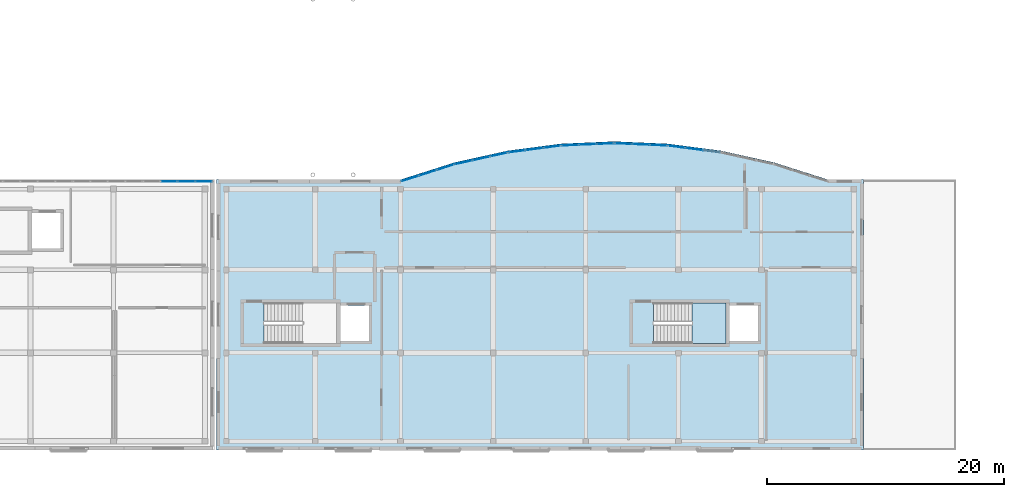
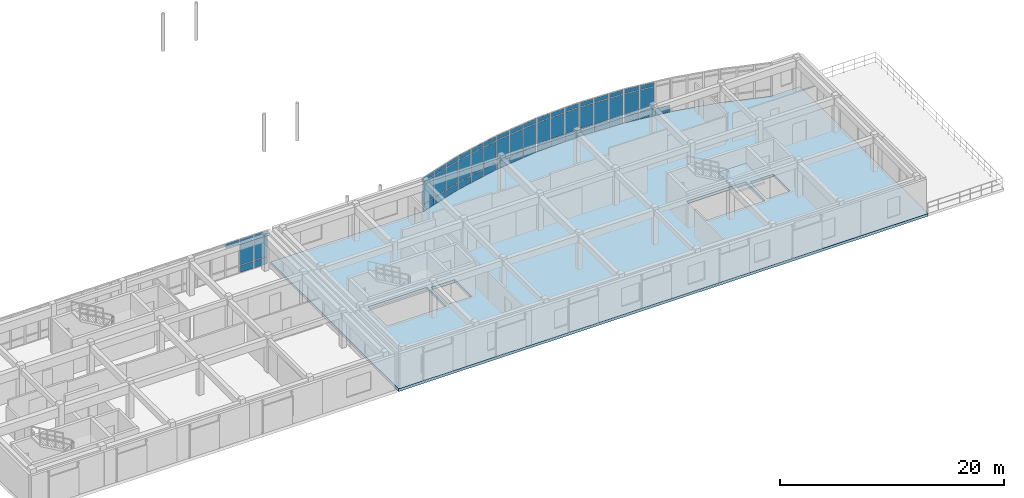
# One storey, part 64 of 91: 59 plates, 2 slabs, 8 elements without a shape of their own.
"""IFC4 building model written with IfcOpenShell, lengths in metres."""

from ifc_helpers import new_model, si_unit, direction, frame, origin, origin_2d, place, context, subcontext, project, spatial, polyline, rectangle, outline, extrude, material, layer, layer_set, type_object, element, aggregate, save


model = new_model("IFC4")

# Units and contexts
model_context = context("Model", 3, precision=1e-05, world=origin(), true_north=direction((0.0, 1.0)))
body_context = subcontext(model_context, "Body", "Model", "MODEL_VIEW")
ifc_project = project(units=[si_unit("LENGTHUNIT", "METRE"), si_unit("AREAUNIT", "SQUARE_METRE"), si_unit("VOLUMEUNIT", "CUBIC_METRE"), si_unit("PLANEANGLEUNIT", "RADIAN"), si_unit("MASSUNIT", "GRAM", prefix="KILO")], contexts=[model_context])

# Site, building, storey
site_placement = place(None, origin())
site = spatial("IfcSite", under=ifc_project, at=site_placement, CompositionType="ELEMENT")
building_placement = place(site_placement, origin())
building = spatial("IfcBuilding", under=site, at=building_placement, Name="Valcora Specialist Clinic", CompositionType="ELEMENT")
storey_placement = place(building_placement, frame((0.0, 0.0, 13.60009765625)))
storey = spatial("IfcBuildingStorey", under=building, at=storey_placement, Name="L03", CompositionType="ELEMENT", Elevation=13.60009765625)

# Curtain wall, plates
ifc_material_1 = material(Name="Anodized Bronze Aluminium 6063-T6", Category="aluminium")
ifc_layer_1 = layer(ifc_material_1, 0.175048828125)
ifc_layer_set_1 = layer_set([ifc_layer_1], Name="Anodized Bronze Aluminium 6063-T6")
curtain_wall_type_1 = type_object("IfcCurtainWallType", Name="TY-CW-ARC40", PredefinedType="NOTDEFINED", material=ifc_layer_set_1)
curtain_wall_1_placement = place(storey_placement, origin())
curtain_wall_1 = element("IfcCurtainWall", 1, at=curtain_wall_1_placement, inside=storey, type_object=curtain_wall_type_1, Name="Curtain wall CW-L03-210", PredefinedType="NOTDEFINED")
ifc_material_2 = material(Name="Low-E Laminated Insulating Glass", Category="glass")
ifc_layer_2 = layer(ifc_material_2, 0.028076171875)
ifc_layer_set_2 = layer_set([ifc_layer_2], Name="Low-E Laminated Insulating Glass")
plate_type_1 = type_object("IfcPlateType", Name="TY-CWP-GLZ28", PredefinedType="CURTAIN_PANEL", material=ifc_layer_set_2)
plate_1_placement = place(storey_placement, frame((69.79150390625, 22.89453125, 0.88232421875), z_axis=(0.0, 0.0, 1.0), x_axis=(0.952916356972, 0.303233270958, 0.0)))
plate_1 = element("IfcPlate", 2, at=plate_1_placement, type_object=plate_type_1, Name="CW-ARC-40 panel 1.2", PredefinedType="CURTAIN_PANEL", context=body_context, shape_type="SweptSolid", body=[
    extrude(rectangle(XDim=1.482177734375, YDim=0.028076171875, at=origin_2d()), origin(), (0.0, 0.0, 1.0), 2.31494140625),
])
plate_2_placement = place(storey_placement, frame((69.79150390625, 22.89453125, 3.2626953125), z_axis=(0.0, 0.0, 1.0), x_axis=(0.952916356972, 0.303233270958, 0.0)))
plate_2 = element("IfcPlate", 3, at=plate_2_placement, type_object=plate_type_1, Name="CW-ARC-40 panel 1.3", PredefinedType="CURTAIN_PANEL", context=body_context, shape_type="SweptSolid", body=[
    extrude(rectangle(XDim=1.482177734375, YDim=0.028076171875, at=origin_2d()), origin(), (0.0, 0.0, 1.0), 0.452392578125),
])
plate_3_placement = place(storey_placement, frame((71.28125, 23.368408203125, 0.88232421875), z_axis=(0.0, 0.0, 1.0), x_axis=(0.952916356972, 0.303233270958, 0.0)))
plate_3 = element("IfcPlate", 4, at=plate_3_placement, type_object=plate_type_1, Name="CW-ARC-40 panel 2.2", PredefinedType="CURTAIN_PANEL", context=body_context, shape_type="SweptSolid", body=[
    extrude(rectangle(XDim=1.5146484375, YDim=0.028076171875, at=origin_2d()), origin(), (0.0, 0.0, 1.0), 2.31494140625),
])
plate_4_placement = place(storey_placement, frame((71.28125, 23.368408203125, 3.2626953125), z_axis=(0.0, 0.0, 1.0), x_axis=(0.952916356972, 0.303233270958, 0.0)))
plate_4 = element("IfcPlate", 5, at=plate_4_placement, type_object=plate_type_1, Name="CW-ARC-40 panel 2.3", PredefinedType="CURTAIN_PANEL", context=body_context, shape_type="SweptSolid", body=[
    extrude(rectangle(XDim=1.5146484375, YDim=0.028076171875, at=origin_2d()), origin(), (0.0, 0.0, 1.0), 0.452392578125),
])
plate_5_placement = place(storey_placement, frame((72.77099609375, 23.842529296875, 0.88232421875), z_axis=(0.0, 0.0, 1.0), x_axis=(0.952916356972, 0.303233270958, 0.0)))
plate_5 = element("IfcPlate", 6, at=plate_5_placement, type_object=plate_type_1, Name="CW-ARC-40 panel 3.2", PredefinedType="CURTAIN_PANEL", context=body_context, shape_type="SweptSolid", body=[
    extrude(rectangle(XDim=1.482177734375, YDim=0.028076171875, at=origin_2d()), origin(), (0.0, 0.0, 1.0), 2.31494140625),
])
plate_6_placement = place(storey_placement, frame((72.77099609375, 23.842529296875, 3.2626953125), z_axis=(0.0, 0.0, 1.0), x_axis=(0.952916356972, 0.303233270958, 0.0)))
plate_6 = element("IfcPlate", 7, at=plate_6_placement, type_object=plate_type_1, Name="CW-ARC-40 panel 3.3", PredefinedType="CURTAIN_PANEL", context=body_context, shape_type="SweptSolid", body=[
    extrude(rectangle(XDim=1.482177734375, YDim=0.028076171875, at=origin_2d()), origin(), (0.0, 0.0, 1.0), 0.452392578125),
])

curtain_wall_2_placement = place(storey_placement, origin())
curtain_wall_2 = element("IfcCurtainWall", 8, at=curtain_wall_2_placement, inside=storey, type_object=curtain_wall_type_1, Name="Curtain wall CW-L03-212", PredefinedType="NOTDEFINED")
plate_7_placement = place(storey_placement, frame((78.7900390625, 25.182373046875, 0.88232421875), z_axis=(0.0, 0.0, 1.0), x_axis=(0.991514060421, 0.129999492259, 0.0)))
plate_7 = element("IfcPlate", 9, at=plate_7_placement, type_object=plate_type_1, Name="CW-ARC-40 panel 1.2", PredefinedType="CURTAIN_PANEL", context=body_context, shape_type="SweptSolid", body=[
    extrude(rectangle(XDim=1.410888671875, YDim=0.028076171875, at=origin_2d()), origin(), (0.0, 0.0, 1.0), 2.31494140625),
])
plate_8_placement = place(storey_placement, frame((78.7900390625, 25.182373046875, 3.2626953125), z_axis=(0.0, 0.0, 1.0), x_axis=(0.991514060421, 0.129999492259, 0.0)))
plate_8 = element("IfcPlate", 10, at=plate_8_placement, type_object=plate_type_1, Name="CW-ARC-40 panel 1.3", PredefinedType="CURTAIN_PANEL", context=body_context, shape_type="SweptSolid", body=[
    extrude(rectangle(XDim=1.410888671875, YDim=0.028076171875, at=origin_2d()), origin(), (0.0, 0.0, 1.0), 0.452392578125),
])
plate_9_placement = place(storey_placement, frame((80.26953125, 25.376220703125, 0.88232421875), z_axis=(0.0, 0.0, 1.0), x_axis=(0.991514060421, 0.129999492259, 0.0)))
plate_9 = element("IfcPlate", 11, at=plate_9_placement, type_object=plate_type_1, Name="CW-ARC-40 panel 2.2", PredefinedType="CURTAIN_PANEL", context=body_context, shape_type="SweptSolid", body=[
    extrude(rectangle(XDim=1.443359375, YDim=0.028076171875, at=origin_2d()), origin(), (0.0, 0.0, 1.0), 2.31494140625),
])
plate_10_placement = place(storey_placement, frame((80.26953125, 25.376220703125, 3.2626953125), z_axis=(0.0, 0.0, 1.0), x_axis=(0.991514060421, 0.129999492259, 0.0)))
plate_10 = element("IfcPlate", 12, at=plate_10_placement, type_object=plate_type_1, Name="CW-ARC-40 panel 2.3", PredefinedType="CURTAIN_PANEL", context=body_context, shape_type="SweptSolid", body=[
    extrude(rectangle(XDim=1.443359375, YDim=0.028076171875, at=origin_2d()), origin(), (0.0, 0.0, 1.0), 0.452392578125),
])
plate_11_placement = place(storey_placement, frame((81.7490234375, 25.5703125, 0.88232421875), z_axis=(0.0, 0.0, 1.0), x_axis=(0.991514060421, 0.129999492259, 0.0)))
plate_11 = element("IfcPlate", 13, at=plate_11_placement, type_object=plate_type_1, Name="CW-ARC-40 panel 3.2", PredefinedType="CURTAIN_PANEL", context=body_context, shape_type="SweptSolid", body=[
    extrude(rectangle(XDim=1.410888671875, YDim=0.028076171875, at=origin_2d()), origin(), (0.0, 0.0, 1.0), 2.31494140625),
])
plate_12_placement = place(storey_placement, frame((81.7490234375, 25.5703125, 3.2626953125), z_axis=(0.0, 0.0, 1.0), x_axis=(0.991514060421, 0.129999492259, 0.0)))
plate_12 = element("IfcPlate", 14, at=plate_12_placement, type_object=plate_type_1, Name="CW-ARC-40 panel 3.3", PredefinedType="CURTAIN_PANEL", context=body_context, shape_type="SweptSolid", body=[
    extrude(rectangle(XDim=1.410888671875, YDim=0.028076171875, at=origin_2d()), origin(), (0.0, 0.0, 1.0), 0.452392578125),
])

curtain_wall_3_placement = place(storey_placement, origin())
curtain_wall_3 = element("IfcCurtainWall", 15, at=curtain_wall_3_placement, inside=storey, type_object=curtain_wall_type_1, Name="Curtain wall CW-L03-214", PredefinedType="NOTDEFINED")
plate_13_placement = place(storey_placement, frame((87.76416015625, 25.831787109375, 0.88232421875), z_axis=(0.0, 0.0, 1.0), x_axis=(0.999061821291, -0.043306780525, 0.0)))
plate_13 = element("IfcPlate", 16, at=plate_13_placement, type_object=plate_type_1, Name="CW-ARC-40 panel 1.2", PredefinedType="CURTAIN_PANEL", context=body_context, shape_type="SweptSolid", body=[
    extrude(rectangle(XDim=1.399658203125, YDim=0.028076171875, at=origin_2d()), origin(), (0.0, 0.0, 1.0), 2.31494140625),
])
plate_14_placement = place(storey_placement, frame((87.76416015625, 25.831787109375, 3.2626953125), z_axis=(0.0, 0.0, 1.0), x_axis=(0.999061821291, -0.043306780525, 0.0)))
plate_14 = element("IfcPlate", 17, at=plate_14_placement, type_object=plate_type_1, Name="CW-ARC-40 panel 1.3", PredefinedType="CURTAIN_PANEL", context=body_context, shape_type="SweptSolid", body=[
    extrude(rectangle(XDim=1.399658203125, YDim=0.028076171875, at=origin_2d()), origin(), (0.0, 0.0, 1.0), 0.452392578125),
])
plate_15_placement = place(storey_placement, frame((89.243408203125, 25.767578125, 0.88232421875), z_axis=(0.0, 0.0, 1.0), x_axis=(0.999061821291, -0.043306780525, 0.0)))
plate_15 = element("IfcPlate", 18, at=plate_15_placement, type_object=plate_type_1, Name="CW-ARC-40 panel 2.2", PredefinedType="CURTAIN_PANEL", context=body_context, shape_type="SweptSolid", body=[
    extrude(rectangle(XDim=1.43212890625, YDim=0.028076171875, at=origin_2d()), origin(), (0.0, 0.0, 1.0), 2.31494140625),
])
plate_16_placement = place(storey_placement, frame((89.243408203125, 25.767578125, 3.2626953125), z_axis=(0.0, 0.0, 1.0), x_axis=(0.999061821291, -0.043306780525, 0.0)))
plate_16 = element("IfcPlate", 19, at=plate_16_placement, type_object=plate_type_1, Name="CW-ARC-40 panel 2.3", PredefinedType="CURTAIN_PANEL", context=body_context, shape_type="SweptSolid", body=[
    extrude(rectangle(XDim=1.43212890625, YDim=0.028076171875, at=origin_2d()), origin(), (0.0, 0.0, 1.0), 0.452392578125),
])
plate_17_placement = place(storey_placement, frame((90.722900390625, 25.70361328125, 0.88232421875), z_axis=(0.0, 0.0, 1.0), x_axis=(0.999061821291, -0.043306780525, 0.0)))
plate_17 = element("IfcPlate", 20, at=plate_17_placement, type_object=plate_type_1, Name="CW-ARC-40 panel 3.2", PredefinedType="CURTAIN_PANEL", context=body_context, shape_type="SweptSolid", body=[
    extrude(rectangle(XDim=1.399658203125, YDim=0.028076171875, at=origin_2d()), origin(), (0.0, 0.0, 1.0), 2.31494140625),
])
plate_18_placement = place(storey_placement, frame((90.722900390625, 25.70361328125, 3.2626953125), z_axis=(0.0, 0.0, 1.0), x_axis=(0.999061821291, -0.043306780525, 0.0)))
plate_18 = element("IfcPlate", 21, at=plate_18_placement, type_object=plate_type_1, Name="CW-ARC-40 panel 3.3", PredefinedType="CURTAIN_PANEL", context=body_context, shape_type="SweptSolid", body=[
    extrude(rectangle(XDim=1.399658203125, YDim=0.028076171875, at=origin_2d()), origin(), (0.0, 0.0, 1.0), 0.452392578125),
])

ifc_layer_3 = layer(ifc_material_1, 0.175048828125)
ifc_layer_set_3 = layer_set([ifc_layer_3], Name="Anodized Bronze Aluminium 6063-T6")
curtain_wall_type_2 = type_object("IfcCurtainWallType", Name="TY-CW-V5F15", PredefinedType="NOTDEFINED", material=ifc_layer_set_3)
curtain_wall_4_placement = place(storey_placement, origin())
curtain_wall_4 = element("IfcCurtainWall", 22, at=curtain_wall_4_placement, inside=storey, type_object=curtain_wall_type_2, Name="Curtain wall CW-L03-163", PredefinedType="NOTDEFINED")
ifc_layer_4 = layer(ifc_material_2, 0.033935546875)
ifc_layer_set_4 = layer_set([ifc_layer_4], Name="Low-E Laminated Insulating Glass")
plate_type_2 = type_object("IfcPlateType", Name="TY-CWP-GLZ34", PredefinedType="CURTAIN_PANEL", material=ifc_layer_set_4)
plate_19_placement = place(storey_placement, frame((49.469482421875, 22.64990234375, 3.20263671875), z_axis=(0.0, 0.0, 1.0), x_axis=(1.0, 0.0, 0.0)))
plate_19 = element("IfcPlate", 23, at=plate_19_placement, type_object=plate_type_2, Name="CW-V5F-15 panel 2.3", PredefinedType="CURTAIN_PANEL", context=body_context, shape_type="SweptSolid", body=[
    extrude(rectangle(XDim=1.4072265625, YDim=0.033935546875, at=origin_2d()), origin(), (0.0, 0.0, 1.0), 0.452392578125),
])
plate_20_placement = place(storey_placement, frame((50.941650390625, 22.64990234375, 0.882568359375), z_axis=(0.0, 0.0, 1.0), x_axis=(1.0, 0.0, 0.0)))
plate_20 = element("IfcPlate", 24, at=plate_20_placement, type_object=plate_type_2, Name="CW-V5F-15 panel 3.2", PredefinedType="CURTAIN_PANEL", context=body_context, shape_type="SweptSolid", body=[
    extrude(rectangle(XDim=1.4072265625, YDim=0.033935546875, at=origin_2d()), origin(), (0.0, 0.0, 1.0), 2.2548828125),
])
plate_21_placement = place(storey_placement, frame((50.941650390625, 22.64990234375, 3.20263671875), z_axis=(0.0, 0.0, 1.0), x_axis=(1.0, 0.0, 0.0)))
plate_21 = element("IfcPlate", 25, at=plate_21_placement, type_object=plate_type_2, Name="CW-V5F-15 panel 3.3", PredefinedType="CURTAIN_PANEL", context=body_context, shape_type="SweptSolid", body=[
    extrude(rectangle(XDim=1.4072265625, YDim=0.033935546875, at=origin_2d()), origin(), (0.0, 0.0, 1.0), 0.452392578125),
])
plate_22_placement = place(storey_placement, frame((52.397705078125, 22.64990234375, 0.882568359375), z_axis=(0.0, 0.0, 1.0), x_axis=(1.0, 0.0, 0.0)))
plate_22 = element("IfcPlate", 26, at=plate_22_placement, type_object=plate_type_2, Name="CW-V5F-15 panel 4.2", PredefinedType="CURTAIN_PANEL", context=body_context, shape_type="SweptSolid", body=[
    extrude(rectangle(XDim=1.374755859375, YDim=0.033935546875, at=origin_2d()), origin(), (0.0, 0.0, 1.0), 2.2548828125),
])
plate_23_placement = place(storey_placement, frame((52.397705078125, 22.64990234375, 3.20263671875), z_axis=(0.0, 0.0, 1.0), x_axis=(1.0, 0.0, 0.0)))
plate_23 = element("IfcPlate", 27, at=plate_23_placement, type_object=plate_type_2, Name="CW-V5F-15 panel 4.3", PredefinedType="CURTAIN_PANEL", context=body_context, shape_type="SweptSolid", body=[
    extrude(rectangle(XDim=1.374755859375, YDim=0.033935546875, at=origin_2d()), origin(), (0.0, 0.0, 1.0), 0.452392578125),
])

curtain_wall_5_placement = place(storey_placement, origin())
curtain_wall_5 = element("IfcCurtainWall", 28, at=curtain_wall_5_placement, inside=storey, type_object=curtain_wall_type_1, Name="Curtain wall CW-L03-211", PredefinedType="NOTDEFINED")
plate_24_placement = place(storey_placement, frame((74.302734375, 24.25634765625, 0.88232421875), z_axis=(0.0, 0.0, 1.0), x_axis=(0.976278614432, 0.216518052372, 0.0)))
plate_24 = element("IfcPlate", 29, at=plate_24_placement, type_object=plate_type_2, Name="CW-ARC-40 panel 1.2", PredefinedType="CURTAIN_PANEL", context=body_context, shape_type="SweptSolid", body=[
    extrude(rectangle(XDim=1.4345703125, YDim=0.033935546875, at=origin_2d()), origin(), (0.0, 0.0, 1.0), 2.31494140625),
])
plate_25_placement = place(storey_placement, frame((74.302734375, 24.25634765625, 3.2626953125), z_axis=(0.0, 0.0, 1.0), x_axis=(0.976278614432, 0.216518052372, 0.0)))
plate_25 = element("IfcPlate", 30, at=plate_25_placement, type_object=plate_type_2, Name="CW-ARC-40 panel 1.3", PredefinedType="CURTAIN_PANEL", context=body_context, shape_type="SweptSolid", body=[
    extrude(rectangle(XDim=1.4345703125, YDim=0.033935546875, at=origin_2d()), origin(), (0.0, 0.0, 1.0), 0.452392578125),
])
plate_26_placement = place(storey_placement, frame((75.782470703125, 24.58447265625, 0.88232421875), z_axis=(0.0, 0.0, 1.0), x_axis=(0.976278614432, 0.216518052372, 0.0)))
plate_26 = element("IfcPlate", 31, at=plate_26_placement, type_object=plate_type_2, Name="CW-ARC-40 panel 2.2", PredefinedType="CURTAIN_PANEL", context=body_context, shape_type="SweptSolid", body=[
    extrude(rectangle(XDim=1.467041015625, YDim=0.033935546875, at=origin_2d()), origin(), (0.0, 0.0, 1.0), 2.31494140625),
])
plate_27_placement = place(storey_placement, frame((75.782470703125, 24.58447265625, 3.2626953125), z_axis=(0.0, 0.0, 1.0), x_axis=(0.976278614432, 0.216518052372, 0.0)))
plate_27 = element("IfcPlate", 32, at=plate_27_placement, type_object=plate_type_2, Name="CW-ARC-40 panel 2.3", PredefinedType="CURTAIN_PANEL", context=body_context, shape_type="SweptSolid", body=[
    extrude(rectangle(XDim=1.467041015625, YDim=0.033935546875, at=origin_2d()), origin(), (0.0, 0.0, 1.0), 0.452392578125),
])
plate_28_placement = place(storey_placement, frame((77.26220703125, 24.912841796875, 0.88232421875), z_axis=(0.0, 0.0, 1.0), x_axis=(0.976278614432, 0.216518052372, 0.0)))
plate_28 = element("IfcPlate", 33, at=plate_28_placement, type_object=plate_type_2, Name="CW-ARC-40 panel 3.2", PredefinedType="CURTAIN_PANEL", context=body_context, shape_type="SweptSolid", body=[
    extrude(rectangle(XDim=1.4345703125, YDim=0.033935546875, at=origin_2d()), origin(), (0.0, 0.0, 1.0), 2.31494140625),
])
plate_29_placement = place(storey_placement, frame((77.26220703125, 24.912841796875, 3.2626953125), z_axis=(0.0, 0.0, 1.0), x_axis=(0.976278614432, 0.216518052372, 0.0)))
plate_29 = element("IfcPlate", 34, at=plate_29_placement, type_object=plate_type_2, Name="CW-ARC-40 panel 3.3", PredefinedType="CURTAIN_PANEL", context=body_context, shape_type="SweptSolid", body=[
    extrude(rectangle(XDim=1.4345703125, YDim=0.033935546875, at=origin_2d()), origin(), (0.0, 0.0, 1.0), 0.452392578125),
])

curtain_wall_6_placement = place(storey_placement, origin())
curtain_wall_6 = element("IfcCurtainWall", 35, at=curtain_wall_6_placement, inside=storey, type_object=curtain_wall_type_1, Name="Curtain wall CW-L03-213", PredefinedType="NOTDEFINED")
plate_30_placement = place(storey_placement, frame((83.277099609375, 25.70361328125, 0.88232421875), z_axis=(0.0, 0.0, 1.0), x_axis=(0.999061821291, 0.043306780525, 0.0)))
plate_30 = element("IfcPlate", 36, at=plate_30_placement, type_object=plate_type_2, Name="CW-ARC-40 panel 1.2", PredefinedType="CURTAIN_PANEL", context=body_context, shape_type="SweptSolid", body=[
    extrude(rectangle(XDim=1.399658203125, YDim=0.033935546875, at=origin_2d()), origin(), (0.0, 0.0, 1.0), 2.31494140625),
])
plate_31_placement = place(storey_placement, frame((83.277099609375, 25.70361328125, 3.2626953125), z_axis=(0.0, 0.0, 1.0), x_axis=(0.999061821291, 0.043306780525, 0.0)))
plate_31 = element("IfcPlate", 37, at=plate_31_placement, type_object=plate_type_2, Name="CW-ARC-40 panel 1.3", PredefinedType="CURTAIN_PANEL", context=body_context, shape_type="SweptSolid", body=[
    extrude(rectangle(XDim=1.399658203125, YDim=0.033935546875, at=origin_2d()), origin(), (0.0, 0.0, 1.0), 0.452392578125),
])
plate_32_placement = place(storey_placement, frame((84.756591796875, 25.767578125, 0.88232421875), z_axis=(0.0, 0.0, 1.0), x_axis=(0.999061821291, 0.043306780525, 0.0)))
plate_32 = element("IfcPlate", 38, at=plate_32_placement, type_object=plate_type_2, Name="CW-ARC-40 panel 2.2", PredefinedType="CURTAIN_PANEL", context=body_context, shape_type="SweptSolid", body=[
    extrude(rectangle(XDim=1.43212890625, YDim=0.033935546875, at=origin_2d()), origin(), (0.0, 0.0, 1.0), 2.31494140625),
])
plate_33_placement = place(storey_placement, frame((84.756591796875, 25.767578125, 3.2626953125), z_axis=(0.0, 0.0, 1.0), x_axis=(0.999061821291, 0.043306780525, 0.0)))
plate_33 = element("IfcPlate", 39, at=plate_33_placement, type_object=plate_type_2, Name="CW-ARC-40 panel 2.3", PredefinedType="CURTAIN_PANEL", context=body_context, shape_type="SweptSolid", body=[
    extrude(rectangle(XDim=1.43212890625, YDim=0.033935546875, at=origin_2d()), origin(), (0.0, 0.0, 1.0), 0.452392578125),
])
plate_34_placement = place(storey_placement, frame((86.23583984375, 25.831787109375, 0.88232421875), z_axis=(0.0, 0.0, 1.0), x_axis=(0.999061821291, 0.043306780525, 0.0)))
plate_34 = element("IfcPlate", 40, at=plate_34_placement, type_object=plate_type_2, Name="CW-ARC-40 panel 3.2", PredefinedType="CURTAIN_PANEL", context=body_context, shape_type="SweptSolid", body=[
    extrude(rectangle(XDim=1.399658203125, YDim=0.033935546875, at=origin_2d()), origin(), (0.0, 0.0, 1.0), 2.31494140625),
])
plate_35_placement = place(storey_placement, frame((86.23583984375, 25.831787109375, 3.2626953125), z_axis=(0.0, 0.0, 1.0), x_axis=(0.999061821291, 0.043306780525, 0.0)))
plate_35 = element("IfcPlate", 41, at=plate_35_placement, type_object=plate_type_2, Name="CW-ARC-40 panel 3.3", PredefinedType="CURTAIN_PANEL", context=body_context, shape_type="SweptSolid", body=[
    extrude(rectangle(XDim=1.399658203125, YDim=0.033935546875, at=origin_2d()), origin(), (0.0, 0.0, 1.0), 0.452392578125),
])

curtain_wall_7_placement = place(storey_placement, origin())
curtain_wall_7 = element("IfcCurtainWall", 42, at=curtain_wall_7_placement, inside=storey, type_object=curtain_wall_type_1, Name="Curtain wall CW-L03-215", PredefinedType="NOTDEFINED")
plate_36_placement = place(storey_placement, frame((92.2509765625, 25.5703125, 0.88232421875), z_axis=(0.0, 0.0, 1.0), x_axis=(0.991514060421, -0.129999492259, 0.0)))
plate_36 = element("IfcPlate", 43, at=plate_36_placement, type_object=plate_type_2, Name="CW-ARC-40 panel 1.2", PredefinedType="CURTAIN_PANEL", context=body_context, shape_type="SweptSolid", body=[
    extrude(rectangle(XDim=1.410888671875, YDim=0.033935546875, at=origin_2d()), origin(), (0.0, 0.0, 1.0), 2.31494140625),
])
plate_37_placement = place(storey_placement, frame((92.2509765625, 25.5703125, 3.2626953125), z_axis=(0.0, 0.0, 1.0), x_axis=(0.991514060421, -0.129999492259, 0.0)))
plate_37 = element("IfcPlate", 44, at=plate_37_placement, type_object=plate_type_2, Name="CW-ARC-40 panel 1.3", PredefinedType="CURTAIN_PANEL", context=body_context, shape_type="SweptSolid", body=[
    extrude(rectangle(XDim=1.410888671875, YDim=0.033935546875, at=origin_2d()), origin(), (0.0, 0.0, 1.0), 0.452392578125),
])
plate_38_placement = place(storey_placement, frame((93.73046875, 25.376220703125, 0.88232421875), z_axis=(0.0, 0.0, 1.0), x_axis=(0.991514060421, -0.129999492259, 0.0)))
plate_38 = element("IfcPlate", 45, at=plate_38_placement, type_object=plate_type_2, Name="CW-ARC-40 panel 2.2", PredefinedType="CURTAIN_PANEL", context=body_context, shape_type="SweptSolid", body=[
    extrude(rectangle(XDim=1.443359375, YDim=0.033935546875, at=origin_2d()), origin(), (0.0, 0.0, 1.0), 2.31494140625),
])
plate_39_placement = place(storey_placement, frame((93.73046875, 25.376220703125, 3.2626953125), z_axis=(0.0, 0.0, 1.0), x_axis=(0.991514060421, -0.129999492259, 0.0)))
plate_39 = element("IfcPlate", 46, at=plate_39_placement, type_object=plate_type_2, Name="CW-ARC-40 panel 2.3", PredefinedType="CURTAIN_PANEL", context=body_context, shape_type="SweptSolid", body=[
    extrude(rectangle(XDim=1.443359375, YDim=0.033935546875, at=origin_2d()), origin(), (0.0, 0.0, 1.0), 0.452392578125),
])

# Plate
ifc_material_3 = material(Name="Insulated Spandrel Panel")
ifc_layer_5 = layer(ifc_material_3, 0.044921875)
ifc_layer_set_5 = layer_set([ifc_layer_5], Name="Insulated Spandrel Panel")
plate_type_3 = type_object("IfcPlateType", Name="TY-CWP-SPN45", PredefinedType="SHEET", material=ifc_layer_set_5)
plate_40_placement = place(storey_placement, frame((50.941650390625, 22.64990234375, 0.06494140625), z_axis=(0.0, 0.0, 1.0), x_axis=(1.0, 0.0, 0.0)))
plate_40 = element("IfcPlate", 47, at=plate_40_placement, type_object=plate_type_3, Name="CW-V5F-15 panel 3.1", PredefinedType="SHEET", context=body_context, shape_type="SweptSolid", body=[
    extrude(rectangle(XDim=1.4072265625, YDim=0.044921875, at=origin_2d()), origin(), (0.0, 0.0, 1.0), 0.75244140625),
])

plate_41_placement = place(storey_placement, frame((52.397705078125, 22.64990234375, 0.06494140625), z_axis=(0.0, 0.0, 1.0), x_axis=(1.0, 0.0, 0.0)))
plate_41 = element("IfcPlate", 48, at=plate_41_placement, type_object=plate_type_3, Name="CW-V5F-15 panel 4.1", PredefinedType="SHEET", context=body_context, shape_type="SweptSolid", body=[
    extrude(rectangle(XDim=1.374755859375, YDim=0.044921875, at=origin_2d()), origin(), (0.0, 0.0, 1.0), 0.75244140625),
])

aggregate(curtain_wall_4, [plate_19, plate_40, plate_20, plate_21, plate_41, plate_22, plate_23])

plate_42_placement = place(storey_placement, frame((69.79150390625, 22.89453125, 0.06494140625), z_axis=(0.0, 0.0, 1.0), x_axis=(0.952916356972, 0.303233270958, 0.0)))
plate_42 = element("IfcPlate", 49, at=plate_42_placement, type_object=plate_type_3, Name="CW-ARC-40 panel 1.1", PredefinedType="SHEET", context=body_context, shape_type="SweptSolid", body=[
    extrude(rectangle(XDim=1.482177734375, YDim=0.044921875, at=origin_2d()), origin(), (0.0, 0.0, 1.0), 0.75244140625),
])

plate_43_placement = place(storey_placement, frame((71.28125, 23.368408203125, 0.06494140625), z_axis=(0.0, 0.0, 1.0), x_axis=(0.952916356972, 0.303233270958, 0.0)))
plate_43 = element("IfcPlate", 50, at=plate_43_placement, type_object=plate_type_3, Name="CW-ARC-40 panel 2.1", PredefinedType="SHEET", context=body_context, shape_type="SweptSolid", body=[
    extrude(rectangle(XDim=1.5146484375, YDim=0.044921875, at=origin_2d()), origin(), (0.0, 0.0, 1.0), 0.75244140625),
])

plate_44_placement = place(storey_placement, frame((72.77099609375, 23.842529296875, 0.06494140625), z_axis=(0.0, 0.0, 1.0), x_axis=(0.952916356972, 0.303233270958, 0.0)))
plate_44 = element("IfcPlate", 51, at=plate_44_placement, type_object=plate_type_3, Name="CW-ARC-40 panel 3.1", PredefinedType="SHEET", context=body_context, shape_type="SweptSolid", body=[
    extrude(rectangle(XDim=1.482177734375, YDim=0.044921875, at=origin_2d()), origin(), (0.0, 0.0, 1.0), 0.75244140625),
])

aggregate(curtain_wall_1, [plate_42, plate_1, plate_2, plate_43, plate_3, plate_4, plate_44, plate_5, plate_6])

plate_45_placement = place(storey_placement, frame((74.302734375, 24.25634765625, 0.06494140625), z_axis=(0.0, 0.0, 1.0), x_axis=(0.976278614432, 0.216518052372, 0.0)))
plate_45 = element("IfcPlate", 52, at=plate_45_placement, type_object=plate_type_3, Name="CW-ARC-40 panel 1.1", PredefinedType="SHEET", context=body_context, shape_type="SweptSolid", body=[
    extrude(rectangle(XDim=1.4345703125, YDim=0.044921875, at=origin_2d()), origin(), (0.0, 0.0, 1.0), 0.75244140625),
])

plate_46_placement = place(storey_placement, frame((75.782470703125, 24.58447265625, 0.06494140625), z_axis=(0.0, 0.0, 1.0), x_axis=(0.976278614432, 0.216518052372, 0.0)))
plate_46 = element("IfcPlate", 53, at=plate_46_placement, type_object=plate_type_3, Name="CW-ARC-40 panel 2.1", PredefinedType="SHEET", context=body_context, shape_type="SweptSolid", body=[
    extrude(rectangle(XDim=1.467041015625, YDim=0.044921875, at=origin_2d()), origin(), (0.0, 0.0, 1.0), 0.75244140625),
])

plate_47_placement = place(storey_placement, frame((77.26220703125, 24.912841796875, 0.06494140625), z_axis=(0.0, 0.0, 1.0), x_axis=(0.976278614432, 0.216518052372, 0.0)))
plate_47 = element("IfcPlate", 54, at=plate_47_placement, type_object=plate_type_3, Name="CW-ARC-40 panel 3.1", PredefinedType="SHEET", context=body_context, shape_type="SweptSolid", body=[
    extrude(rectangle(XDim=1.4345703125, YDim=0.044921875, at=origin_2d()), origin(), (0.0, 0.0, 1.0), 0.75244140625),
])

aggregate(curtain_wall_5, [plate_45, plate_24, plate_25, plate_46, plate_26, plate_27, plate_47, plate_28, plate_29])

plate_48_placement = place(storey_placement, frame((78.7900390625, 25.182373046875, 0.06494140625), z_axis=(0.0, 0.0, 1.0), x_axis=(0.991514060421, 0.129999492259, 0.0)))
plate_48 = element("IfcPlate", 55, at=plate_48_placement, type_object=plate_type_3, Name="CW-ARC-40 panel 1.1", PredefinedType="SHEET", context=body_context, shape_type="SweptSolid", body=[
    extrude(rectangle(XDim=1.410888671875, YDim=0.044921875, at=origin_2d()), origin(), (0.0, 0.0, 1.0), 0.75244140625),
])

plate_49_placement = place(storey_placement, frame((80.26953125, 25.376220703125, 0.06494140625), z_axis=(0.0, 0.0, 1.0), x_axis=(0.991514060421, 0.129999492259, 0.0)))
plate_49 = element("IfcPlate", 56, at=plate_49_placement, type_object=plate_type_3, Name="CW-ARC-40 panel 2.1", PredefinedType="SHEET", context=body_context, shape_type="SweptSolid", body=[
    extrude(rectangle(XDim=1.443359375, YDim=0.044921875, at=origin_2d()), origin(), (0.0, 0.0, 1.0), 0.75244140625),
])

plate_50_placement = place(storey_placement, frame((81.7490234375, 25.5703125, 0.06494140625), z_axis=(0.0, 0.0, 1.0), x_axis=(0.991514060421, 0.129999492259, 0.0)))
plate_50 = element("IfcPlate", 57, at=plate_50_placement, type_object=plate_type_3, Name="CW-ARC-40 panel 3.1", PredefinedType="SHEET", context=body_context, shape_type="SweptSolid", body=[
    extrude(rectangle(XDim=1.410888671875, YDim=0.044921875, at=origin_2d()), origin(), (0.0, 0.0, 1.0), 0.75244140625),
])

aggregate(curtain_wall_2, [plate_48, plate_7, plate_8, plate_49, plate_9, plate_10, plate_50, plate_11, plate_12])

plate_51_placement = place(storey_placement, frame((83.277099609375, 25.70361328125, 0.06494140625), z_axis=(0.0, 0.0, 1.0), x_axis=(0.999061821291, 0.043306780525, 0.0)))
plate_51 = element("IfcPlate", 58, at=plate_51_placement, type_object=plate_type_3, Name="CW-ARC-40 panel 1.1", PredefinedType="SHEET", context=body_context, shape_type="SweptSolid", body=[
    extrude(rectangle(XDim=1.399658203125, YDim=0.044921875, at=origin_2d()), origin(), (0.0, 0.0, 1.0), 0.75244140625),
])

plate_52_placement = place(storey_placement, frame((84.756591796875, 25.767578125, 0.06494140625), z_axis=(0.0, 0.0, 1.0), x_axis=(0.999061821291, 0.043306780525, 0.0)))
plate_52 = element("IfcPlate", 59, at=plate_52_placement, type_object=plate_type_3, Name="CW-ARC-40 panel 2.1", PredefinedType="SHEET", context=body_context, shape_type="SweptSolid", body=[
    extrude(rectangle(XDim=1.43212890625, YDim=0.044921875, at=origin_2d()), origin(), (0.0, 0.0, 1.0), 0.75244140625),
])

plate_53_placement = place(storey_placement, frame((86.23583984375, 25.831787109375, 0.06494140625), z_axis=(0.0, 0.0, 1.0), x_axis=(0.999061821291, 0.043306780525, 0.0)))
plate_53 = element("IfcPlate", 60, at=plate_53_placement, type_object=plate_type_3, Name="CW-ARC-40 panel 3.1", PredefinedType="SHEET", context=body_context, shape_type="SweptSolid", body=[
    extrude(rectangle(XDim=1.399658203125, YDim=0.044921875, at=origin_2d()), origin(), (0.0, 0.0, 1.0), 0.75244140625),
])

aggregate(curtain_wall_6, [plate_51, plate_30, plate_31, plate_52, plate_32, plate_33, plate_53, plate_34, plate_35])

plate_54_placement = place(storey_placement, frame((87.76416015625, 25.831787109375, 0.06494140625), z_axis=(0.0, 0.0, 1.0), x_axis=(0.999061821291, -0.043306780525, 0.0)))
plate_54 = element("IfcPlate", 61, at=plate_54_placement, type_object=plate_type_3, Name="CW-ARC-40 panel 1.1", PredefinedType="SHEET", context=body_context, shape_type="SweptSolid", body=[
    extrude(rectangle(XDim=1.399658203125, YDim=0.044921875, at=origin_2d()), origin(), (0.0, 0.0, 1.0), 0.75244140625),
])

plate_55_placement = place(storey_placement, frame((89.243408203125, 25.767578125, 0.06494140625), z_axis=(0.0, 0.0, 1.0), x_axis=(0.999061821291, -0.043306780525, 0.0)))
plate_55 = element("IfcPlate", 62, at=plate_55_placement, type_object=plate_type_3, Name="CW-ARC-40 panel 2.1", PredefinedType="SHEET", context=body_context, shape_type="SweptSolid", body=[
    extrude(rectangle(XDim=1.43212890625, YDim=0.044921875, at=origin_2d()), origin(), (0.0, 0.0, 1.0), 0.75244140625),
])

plate_56_placement = place(storey_placement, frame((90.722900390625, 25.70361328125, 0.06494140625), z_axis=(0.0, 0.0, 1.0), x_axis=(0.999061821291, -0.043306780525, 0.0)))
plate_56 = element("IfcPlate", 63, at=plate_56_placement, type_object=plate_type_3, Name="CW-ARC-40 panel 3.1", PredefinedType="SHEET", context=body_context, shape_type="SweptSolid", body=[
    extrude(rectangle(XDim=1.399658203125, YDim=0.044921875, at=origin_2d()), origin(), (0.0, 0.0, 1.0), 0.75244140625),
])

aggregate(curtain_wall_3, [plate_54, plate_13, plate_14, plate_55, plate_15, plate_16, plate_56, plate_17, plate_18])

plate_57_placement = place(storey_placement, frame((92.2509765625, 25.5703125, 0.06494140625), z_axis=(0.0, 0.0, 1.0), x_axis=(0.991514060421, -0.129999492259, 0.0)))
plate_57 = element("IfcPlate", 64, at=plate_57_placement, type_object=plate_type_3, Name="CW-ARC-40 panel 1.1", PredefinedType="SHEET", context=body_context, shape_type="SweptSolid", body=[
    extrude(rectangle(XDim=1.410888671875, YDim=0.044921875, at=origin_2d()), origin(), (0.0, 0.0, 1.0), 0.75244140625),
])

plate_58_placement = place(storey_placement, frame((93.73046875, 25.376220703125, 0.06494140625), z_axis=(0.0, 0.0, 1.0), x_axis=(0.991514060421, -0.129999492259, 0.0)))
plate_58 = element("IfcPlate", 65, at=plate_58_placement, type_object=plate_type_3, Name="CW-ARC-40 panel 2.1", PredefinedType="SHEET", context=body_context, shape_type="SweptSolid", body=[
    extrude(rectangle(XDim=1.443359375, YDim=0.044921875, at=origin_2d()), origin(), (0.0, 0.0, 1.0), 0.75244140625),
])

plate_59_placement = place(storey_placement, frame((95.2099609375, 25.182373046875, 0.06494140625), z_axis=(0.0, 0.0, 1.0), x_axis=(0.991514060421, -0.129999492259, 0.0)))
plate_59 = element("IfcPlate", 66, at=plate_59_placement, type_object=plate_type_3, Name="CW-ARC-40 panel 3.1", PredefinedType="SHEET", context=body_context, shape_type="SweptSolid", body=[
    extrude(rectangle(XDim=1.410888671875, YDim=0.044921875, at=origin_2d()), origin(), (0.0, 0.0, 1.0), 0.75244140625),
])

aggregate(curtain_wall_7, [plate_57, plate_36, plate_37, plate_58, plate_38, plate_39, plate_59])

# Slab
ifc_material_4 = material(Name="Concrete C40/50", Category="concrete")
ifc_layer_6 = layer(ifc_material_4, 0.300048828125)
ifc_layer_set_6 = layer_set([ifc_layer_6], Name="Concrete C40/50")
slab_type_1 = type_object("IfcSlabType", Name="TY-SL-FLR300", PredefinedType="FLOOR", material=ifc_layer_set_6)
slab_1_placement = place(storey_placement, frame((0.0, 0.0, -0.300048828125)))
element("IfcSlab", 67, at=slab_1_placement, inside=storey, type_object=slab_type_1, Name="V6 L03 structural slab SL-L03-024", PredefinedType="FLOOR", context=body_context, shape_type="SweptSolid", body=[
    extrude(outline(polyline([(53.5, 0.0), (108.0, 0.0), (108.0, 22.800048828125), (105.0, 22.800048828125), (100.5, 24.23193359375), (96.0, 25.22998046875), (91.5, 25.820068359375), (87.0, 26.014892578125), (82.5, 25.820068359375), (78.0, 25.22998046875), (73.5, 24.23193359375), (69.0, 22.800048828125), (53.5, 22.800048828125), (53.5, 0.0)]), holes=[polyline([(57.500732421875, 9.0), (63.60009765625, 9.0), (63.60009765625, 12.39990234375), (57.500732421875, 12.39990234375), (57.500732421875, 9.0)]), polyline([(63.919921875, 9.199951171875), (66.320068359375, 9.199951171875), (66.320068359375, 12.199951171875), (63.919921875, 12.199951171875), (63.919921875, 9.199951171875)]), polyline([(90.30078125, 9.0), (96.39990234375, 9.0), (96.39990234375, 12.39990234375), (90.30078125, 12.39990234375), (90.30078125, 9.0)]), polyline([(96.719970703125, 9.199951171875), (99.1201171875, 9.199951171875), (99.1201171875, 12.199951171875), (96.719970703125, 12.199951171875), (96.719970703125, 9.199951171875)])]), origin(), (0.0, 0.0, 1.0), 0.300048828125),
])

# Stair, slab
stair_type = type_object("IfcStairType", Name="TY-ST-DG408", PredefinedType="HALF_TURN_STAIR", material=ifc_material_4)
stair_placement = place(storey_placement, origin())
stair = element("IfcStair", 68, at=stair_placement, inside=storey, type_object=stair_type, Name="L03 Core C-V6B stair ST-V6B", PredefinedType="HALF_TURN_STAIR")
ifc_layer_7 = layer(ifc_material_4, 0.199951171875)
ifc_layer_set_7 = layer_set([ifc_layer_7], Name="Concrete C40/50")
slab_type_2 = type_object("IfcSlabType", Name="TY-SL-LND200", PredefinedType="LANDING", material=ifc_layer_set_7)
slab_2_placement = place(storey_placement, frame((0.0, 0.0, 1.83984375)))
slab_2 = element("IfcSlab", 69, at=slab_2_placement, type_object=slab_type_2, Name="ST-V6B landing 1", PredefinedType="LANDING", context=body_context, shape_type="SweptSolid", body=[
    extrude(outline(polyline([(93.544921875, 9.0), (96.39990234375, 9.0), (96.39990234375, 12.39990234375), (93.544921875, 12.39990234375), (93.544921875, 9.0)])), origin(), (0.0, 0.0, 1.0), 0.199951171875),
])
aggregate(stair, [slab_2])

save(model, "model.ifc")
